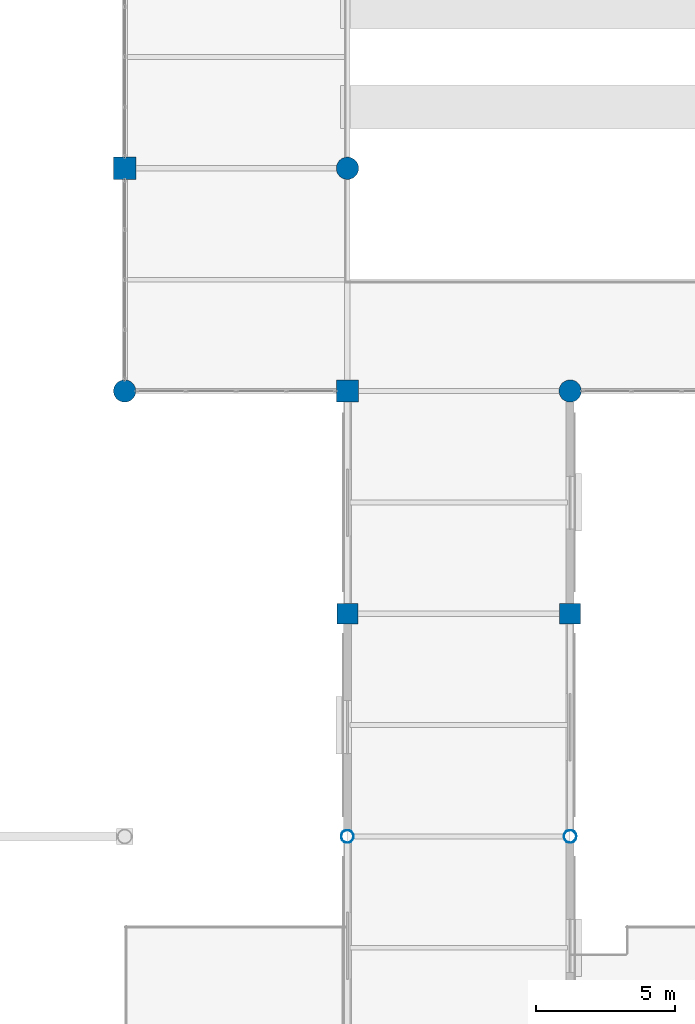
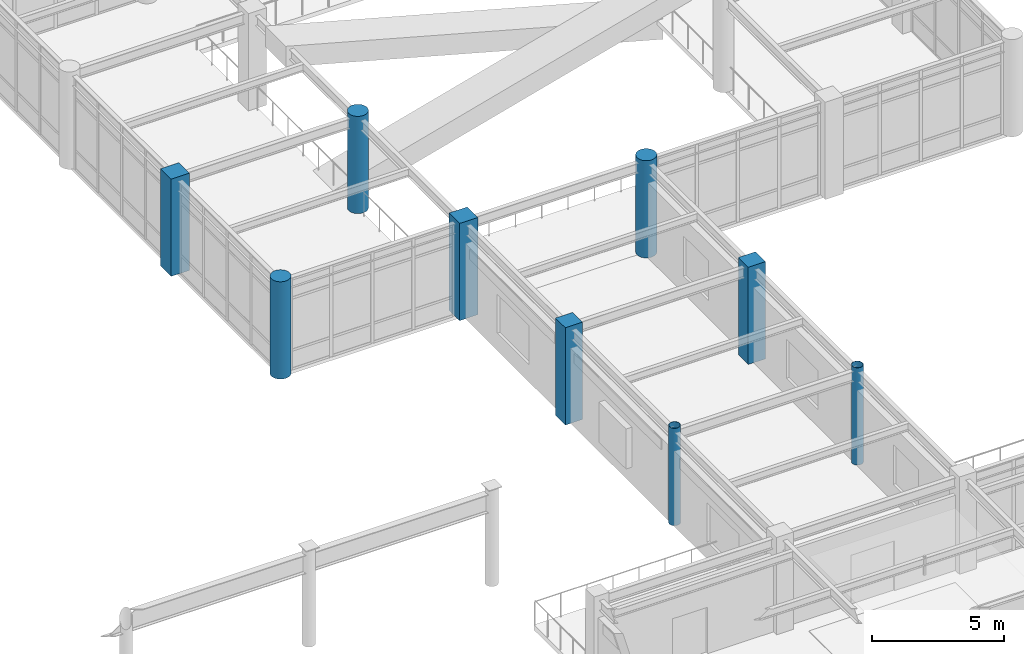
# One storey, part 3 of 78: 9 columns.
"""IFC4 building model written with IfcOpenShell, lengths in metres."""

from ifc_helpers import new_model, si_unit, direction, frame, origin, origin_2d, place, context, subcontext, project, spatial, rectangle, circle, hollow_circle, extrude, material, material_profile, profile_set, type_object, element, save


model = new_model("IFC4")

# Units and contexts
model_context = context("Model", 3, precision=1e-05, world=origin(), true_north=direction((0.0, 1.0)))
body_context = subcontext(model_context, "Body", "Model", "MODEL_VIEW")
ifc_project = project(units=[si_unit("LENGTHUNIT", "METRE"), si_unit("AREAUNIT", "SQUARE_METRE"), si_unit("VOLUMEUNIT", "CUBIC_METRE"), si_unit("PLANEANGLEUNIT", "RADIAN"), si_unit("MASSUNIT", "GRAM", prefix="KILO")], contexts=[model_context])

# Site, building, storey
site_placement = place(None, origin())
site = spatial("IfcSite", under=ifc_project, at=site_placement, CompositionType="ELEMENT")
building_placement = place(site_placement, origin())
building = spatial("IfcBuilding", under=site, at=building_placement, Name="Solmirada Galleria", CompositionType="ELEMENT")
storey_placement = place(building_placement, frame((0.0, 0.0, 23.89990234375)))
storey = spatial("IfcBuildingStorey", under=building, at=storey_placement, Name="L05", CompositionType="ELEMENT", Elevation=23.89990234375)

# Columns
ifc_material_1 = material(Name="Steel S355 / ASTM A500 Grade C", Category="steel")
ifc_material_profile_1 = material_profile(ifc_material_1, hollow_circle(Radius=0.228515625, WallThickness=0.01171875, at=origin_2d()), Name="HSS18.000X0.500")
ifc_profile_set_1 = profile_set([ifc_material_profile_1], Name="Steel S355 / ASTM A500 Grade C")
column_type_1 = type_object("IfcColumnType", Name="COL-CHS18", PredefinedType="COLUMN", material=ifc_profile_set_1)
for number, where, z_axis, x_axis, name in (
    (1, (88.0, 32.0, 0.0), (0.0, 0.0, 1.0), (1.0, 0.0, 0.0), "Structural column L05-0500"),
    (2, (96.0, 32.0, 0.0), (0.0, 0.0, 1.0), (1.0, 0.0, 0.0), "Structural column L05-0622"),
):
    element("IfcColumn", number, at=place(storey_placement, frame(where, z_axis=z_axis, x_axis=x_axis)), inside=storey, type_object=column_type_1, Name=name, PredefinedType="COLUMN", context=body_context, shape_type="SweptSolid", body=[
        extrude(hollow_circle(Radius=0.228515625, WallThickness=0.01171875, at=origin_2d()), origin(), (0.0, 0.0, 1.0), 4.5),
    ])
ifc_material_2 = material(Name="Concrete C40/50", Category="concrete")
ifc_material_profile_2 = material_profile(ifc_material_2, circle(Radius=0.39990234375, at=origin_2d()), Name="RCCOL800")
ifc_profile_set_2 = profile_set([ifc_material_profile_2], Name="Concrete C40/50")
column_type_2 = type_object("IfcColumnType", Name="COL-CIR800", PredefinedType="COLUMN", material=ifc_profile_set_2)
for number, where, z_axis, x_axis, name in (
    (3, (80.0, 48.0, 0.0), (0.0, 0.0, 1.0), (1.0, 0.0, 0.0), "Structural column L05-0393"),
    (4, (88.0, 56.0, 0.0), (0.0, 0.0, 1.0), (1.0, 0.0, 0.0), "Structural column L05-0525"),
    (5, (96.0, 48.0, 0.0), (0.0, 0.0, 1.0), (1.0, 0.0, 0.0), "Structural column L05-0638"),
):
    element("IfcColumn", number, at=place(storey_placement, frame(where, z_axis=z_axis, x_axis=x_axis)), inside=storey, type_object=column_type_2, Name=name, PredefinedType="COLUMN", context=body_context, shape_type="SweptSolid", body=[
        extrude(circle(Radius=0.39990234375, at=origin_2d()), origin(), (0.0, 0.0, 1.0), 4.5),
    ])
ifc_material_profile_3 = material_profile(ifc_material_2, rectangle(XDim=0.75, YDim=0.75, at=origin_2d()), Name="RC750X750")
ifc_profile_set_3 = profile_set([ifc_material_profile_3], Name="Concrete C40/50")
column_type_3 = type_object("IfcColumnType", Name="COL-RC750", PredefinedType="COLUMN", material=ifc_profile_set_3)
for number, where, z_axis, x_axis, name in (
    (6, (88.0, 40.0, 0.0), (0.0, 0.0, 1.0), (1.0, 0.0, 0.0), "Structural column L05-0508"),
    (7, (96.0, 40.0, 0.0), (0.0, 0.0, 1.0), (1.0, 0.0, 0.0), "Structural column L05-0630"),
):
    element("IfcColumn", number, at=place(storey_placement, frame(where, z_axis=z_axis, x_axis=x_axis)), inside=storey, type_object=column_type_3, Name=name, PredefinedType="COLUMN", context=body_context, shape_type="SweptSolid", body=[
        extrude(rectangle(XDim=0.75, YDim=0.75, at=origin_2d()), origin(), (0.0, 0.0, 1.0), 4.5),
    ])
ifc_material_profile_4 = material_profile(ifc_material_2, rectangle(XDim=0.800048828125, YDim=0.800048828125, at=origin_2d()), Name="RC800X800")
ifc_profile_set_4 = profile_set([ifc_material_profile_4], Name="Concrete C40/50")
column_type_4 = type_object("IfcColumnType", Name="COL-RC800", PredefinedType="COLUMN", material=ifc_profile_set_4)
for number, where, z_axis, x_axis, name in (
    (8, (80.0, 56.0, 0.0), (0.0, 0.0, 1.0), (1.0, 0.0, 0.0), "Structural column L05-0402"),
    (9, (88.0, 48.0, 0.0), (0.0, 0.0, 1.0), (1.0, 0.0, 0.0), "Structural column L05-0516"),
):
    element("IfcColumn", number, at=place(storey_placement, frame(where, z_axis=z_axis, x_axis=x_axis)), inside=storey, type_object=column_type_4, Name=name, PredefinedType="COLUMN", context=body_context, shape_type="SweptSolid", body=[
        extrude(rectangle(XDim=0.800048828125, YDim=0.800048828125, at=origin_2d()), origin(), (0.0, 0.0, 1.0), 4.5),
    ])

save(model, "model.ifc")
